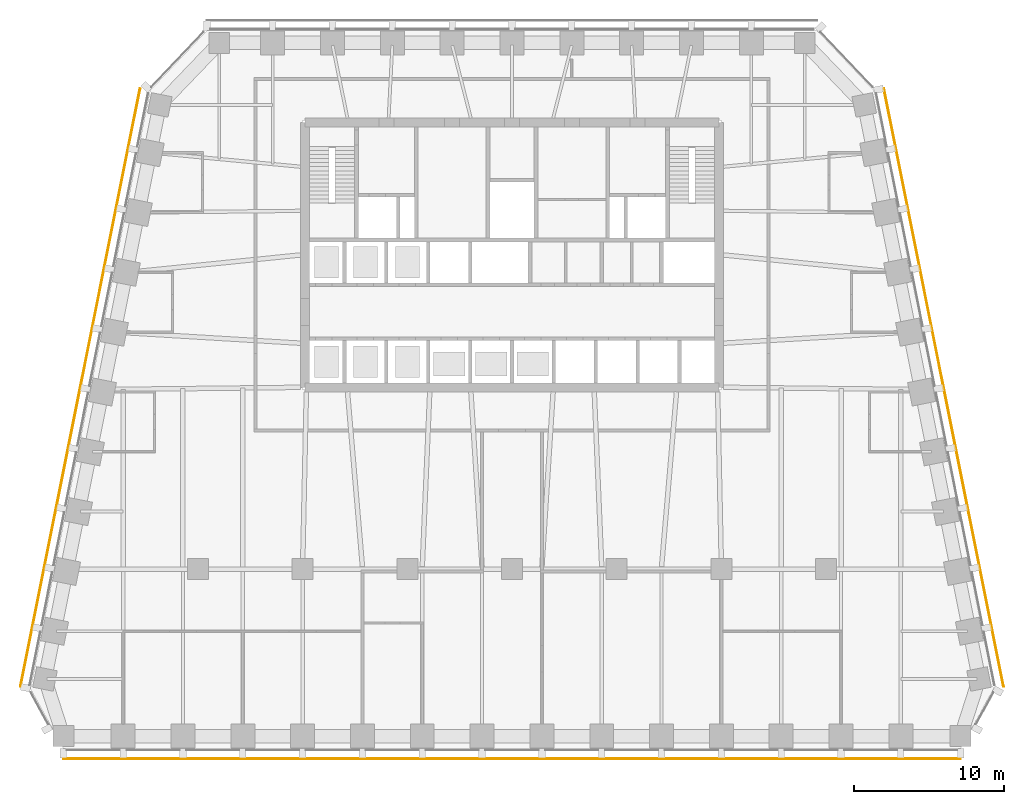
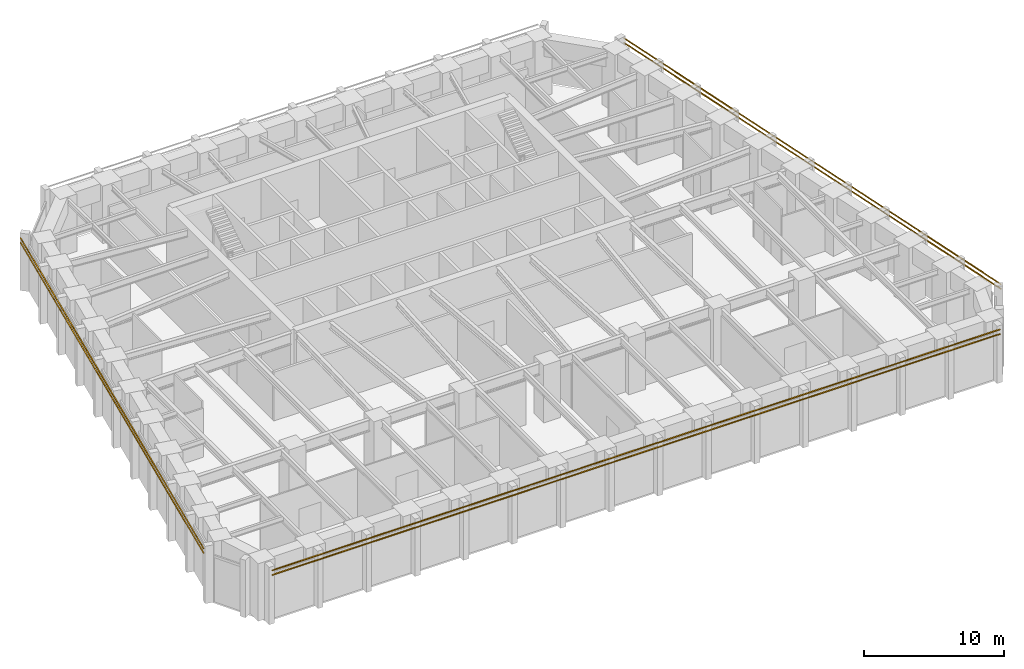
# One storey, part 9 of 11: 6 shading devices.
"""IFC4 building model written with IfcOpenShell, lengths in metres."""

from ifc_helpers import new_model, si_unit, direction, frame, origin, origin_2d, place, context, subcontext, project, spatial, rectangle, extrude, material, material_profile, profile_set, type_object, element, save


model = new_model("IFC4")

# Units and contexts
model_context = context("Model", 3, precision=1e-05, world=origin(), true_north=direction((0.0, 1.0)))
body_context = subcontext(model_context, "Body", "Model", "MODEL_VIEW")
ifc_project = project(units=[si_unit("LENGTHUNIT", "METRE"), si_unit("AREAUNIT", "SQUARE_METRE"), si_unit("VOLUMEUNIT", "CUBIC_METRE"), si_unit("PLANEANGLEUNIT", "RADIAN"), si_unit("MASSUNIT", "GRAM", prefix="KILO")], contexts=[model_context])

# Site, building, storey
site_placement = place(None, origin())
site = spatial("IfcSite", under=ifc_project, at=site_placement, CompositionType="ELEMENT")
building_placement = place(site_placement, origin())
building = spatial("IfcBuilding", under=site, at=building_placement, Name="Isbrekke Arena Tower", CompositionType="ELEMENT")
storey_placement = place(building_placement, frame((0.0, 0.0, 173.0)))
storey = spatial("IfcBuildingStorey", under=building, at=storey_placement, Name="L39", CompositionType="ELEMENT", Elevation=173.0)

# Shading devices
ifc_material = material(Name="Terracotta", Category="masonry")
ifc_material_profile = material_profile(ifc_material, rectangle(XDim=0.06005859375, YDim=0.06005859375, at=origin_2d()), Name="BAGUETTE 60X60")
ifc_profile_set = profile_set([ifc_material_profile], Name="Terracotta")
shading_device_type = type_object("IfcShadingDeviceType", Name="BG1 TERRACOTTA BAGUETTE 60 x 60", PredefinedType="USERDEFINED", material=ifc_profile_set)
for number, where, z_axis, x_axis, name in (
    (1, (-30.0, -18.679931640625, 4.280029296875), (1.0, 0.0, 0.0), (0.0, 1.0, 0.0), "BG1 terracotta baguette S1 L39"),
    (2, (-30.0, -18.679931640625, 4.679931640625), (1.0, 0.0, 0.0), (0.0, 1.0, 0.0), "BG1 terracotta baguette S2 L39"),
):
    element("IfcShadingDevice", number, at=place(storey_placement, frame(where, z_axis=z_axis, x_axis=x_axis)), inside=storey, type_object=shading_device_type, Name=name, ObjectType="TERRACOTTA BAGUETTE", PredefinedType="USERDEFINED", context=body_context, shape_type="SweptSolid", body=[
        extrude(rectangle(XDim=0.06005859375, YDim=0.06005859375, at=origin_2d()), origin(), (0.0, 0.0, 1.0), 60.0),
    ])
for number, where, z_axis, x_axis, name in (
    (3, (32.86669921875, -13.86669921875, 4.280029296875), (-0.196116135138, 0.980580675691, 0.0), (-0.980580675691, -0.196116135138, 0.0), "BG1 terracotta baguette E1 L39"),
    (4, (32.86669921875, -13.86669921875, 4.679931640625), (-0.196116135138, 0.980580675691, 0.0), (-0.980580675691, -0.196116135138, 0.0), "BG1 terracotta baguette E2 L39"),
    (5, (-24.86669921875, 26.13330078125, 4.280029296875), (-0.196116135138, -0.980580675691, 0.0), (0.980580675691, -0.196116135138, 0.0), "BG1 terracotta baguette W1 L39"),
    (6, (-24.86669921875, 26.13330078125, 4.679931640625), (-0.196116135138, -0.980580675691, 0.0), (0.980580675691, -0.196116135138, 0.0), "BG1 terracotta baguette W2 L39"),
):
    element("IfcShadingDevice", number, at=place(storey_placement, frame(where, z_axis=z_axis, x_axis=x_axis)), inside=storey, type_object=shading_device_type, Name=name, ObjectType="TERRACOTTA BAGUETTE", PredefinedType="USERDEFINED", context=body_context, shape_type="SweptSolid", body=[
        extrude(rectangle(XDim=0.06005859375, YDim=0.06005859375, at=origin_2d()), origin(), (0.0, 0.0, 1.0), 40.792236328125),
    ])

save(model, "model.ifc")
